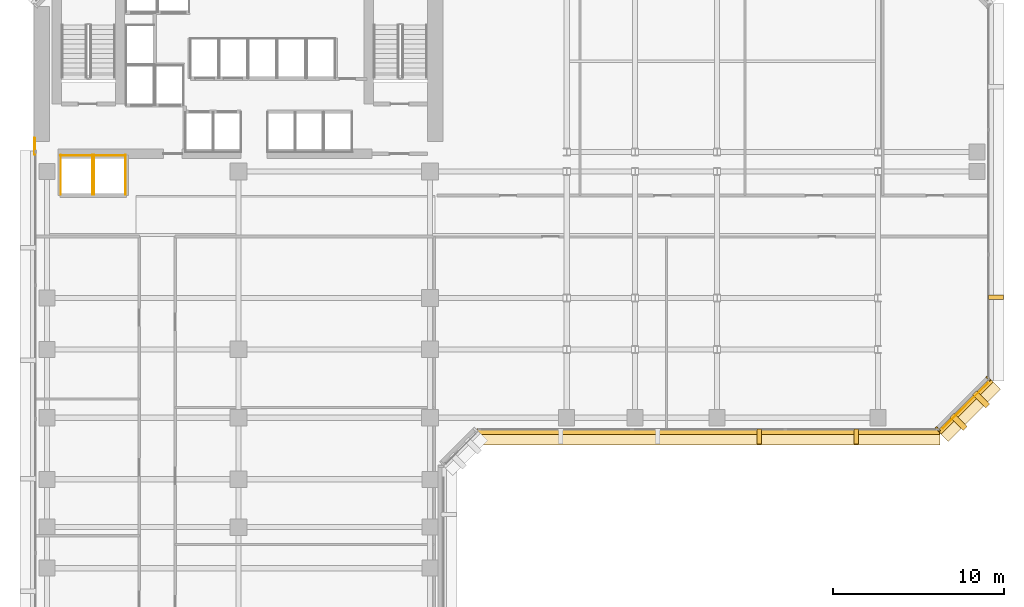
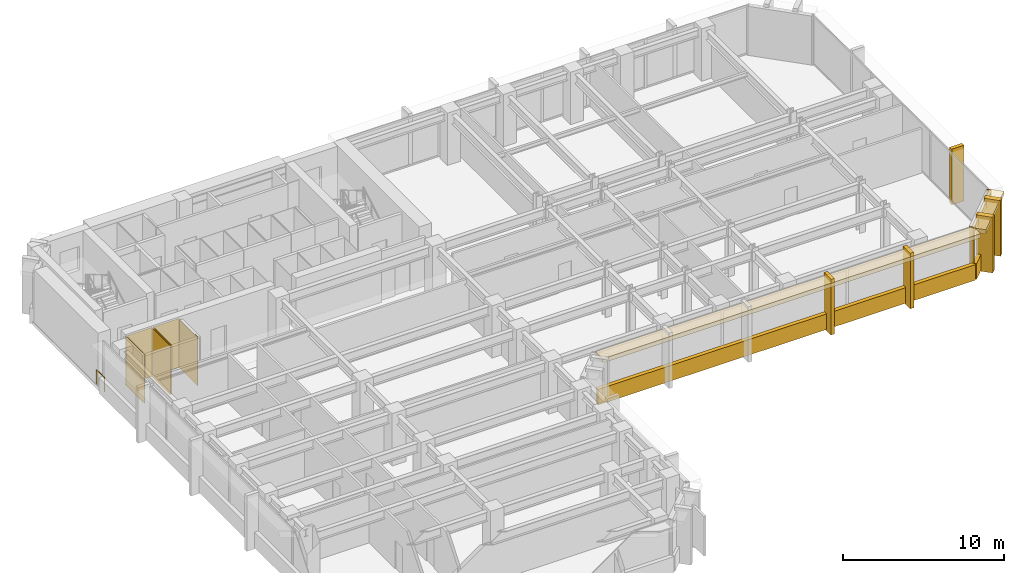
# One storey, part 10 of 13: 18 coverings, 1 railing.
"""IFC4 building model written with IfcOpenShell, lengths in metres."""

from ifc_helpers import new_model, si_unit, direction, frame, origin, origin_2d, place, context, subcontext, project, spatial, polyline, rectangle, circle, outline, extrude, material, layer, layer_set, type_object, element, save


model = new_model("IFC4")

# Units and contexts
model_context = context("Model", 3, precision=1e-05, world=origin(), true_north=direction((0.0, 1.0)))
body_context = subcontext(model_context, "Body", "Model", "MODEL_VIEW")
ifc_project = project(units=[si_unit("LENGTHUNIT", "METRE"), si_unit("AREAUNIT", "SQUARE_METRE"), si_unit("VOLUMEUNIT", "CUBIC_METRE"), si_unit("PLANEANGLEUNIT", "RADIAN"), si_unit("MASSUNIT", "GRAM", prefix="KILO")], contexts=[model_context])

# Site, building, storey
site_placement = place(None, origin())
site = spatial("IfcSite", under=ifc_project, at=site_placement, CompositionType="ELEMENT")
building_placement = place(site_placement, origin())
building = spatial("IfcBuilding", under=site, at=building_placement, Name="Kefirva Bronze Tower", CompositionType="ELEMENT")
storey_placement = place(building_placement, frame((0.0, 0.0, 98.669921875)))
storey = spatial("IfcBuildingStorey", under=building, at=storey_placement, Name="L23", CompositionType="ELEMENT", Elevation=98.669921875)

# Coverings
ifc_material_1 = material(Name="Bronze anodised aluminium", Category="aluminium")
ifc_layer_1 = layer(ifc_material_1, 0.02001953125, Name="Bronze anodised aluminium")
ifc_layer_set_1 = layer_set([ifc_layer_1], Name="Bronze anodised aluminium")
covering_type_1 = type_object("IfcCoveringType", Name="Anodised Bronze Spandrel Cladding 20mm", PredefinedType="CLADDING", material=ifc_layer_set_1)
covering_1_placement = place(storey_placement, frame((39.5, 17.9599609375, -0.15966796875), z_axis=(0.0, 0.0, 1.0), x_axis=(1.0, 0.0, 0.0)))
element("IfcCovering", 1, at=covering_1_placement, inside=storey, type_object=covering_type_1, Name="L23 Streamline Horizontal Spandrel Band 4", PredefinedType="CLADDING", context=body_context, shape_type="SweptSolid", body=[
    extrude(rectangle(XDim=27.0400390625, YDim=0.280029296875, at=origin_2d()), origin(), (0.0, 0.0, 1.0), 1.179931640625),
])
covering_2_placement = place(storey_placement, frame((54.507080078125, 19.492919921875, 3.2900390625), z_axis=(0.0, 0.0, 1.0), x_axis=(0.707106781187, 0.707106781187, 0.0)))
element("IfcCovering", 2, at=covering_2_placement, inside=storey, type_object=covering_type_1, Name="L23 Bronze Spandrel Cladding 4", PredefinedType="CLADDING", context=body_context, shape_type="SweptSolid", body=[
    extrude(rectangle(XDim=3.719482421875, YDim=0.02001953125, at=origin_2d()), origin(), (0.0, 0.0, 1.0), 0.39990234375),
])
for number, where, z_axis, x_axis, name in (
    (3, (52.91162109375, 18.137939453125, 0.0), (0.0, 0.0, 1.0), (0.707106781187, 0.707106781187, 0.0), "L23 Facade Joint Closure Panel 4S"),
    (4, (55.862060546875, 21.08837890625, 0.0), (0.0, 0.0, 1.0), (0.707106781187, 0.707106781187, 0.0), "L23 Facade Joint Closure Panel 4E"),
):
    element("IfcCovering", number, at=place(storey_placement, frame(where, z_axis=z_axis, x_axis=x_axis)), inside=storey, type_object=covering_type_1, Name=name, PredefinedType="CLADDING", context=body_context, shape_type="SweptSolid", body=[
        extrude(rectangle(XDim=0.10009765625, YDim=0.320068359375, at=origin_2d()), origin(), (0.0, 0.0, 1.0), 3.7099609375),
    ])
covering_3_placement = place(storey_placement, frame((54.5283203125, 19.4716796875, -0.15966796875), z_axis=(0.0, 0.0, 1.0), x_axis=(0.707106781187, 0.707106781187, 0.0)))
element("IfcCovering", 5, at=covering_3_placement, inside=storey, type_object=covering_type_1, Name="L23 Streamline Horizontal Spandrel Band 5", PredefinedType="CLADDING", context=body_context, shape_type="SweptSolid", body=[
    extrude(rectangle(XDim=4.28271484375, YDim=0.280029296875, at=origin_2d()), origin(), (0.0, 0.0, 1.0), 1.179931640625),
])
covering_4_placement = place(storey_placement, origin())
element("IfcCovering", 6, at=covering_4_placement, inside=storey, type_object=covering_type_1, Name="L23 Lift OB1 Hoistway Liner N", PredefinedType="CLADDING", context=body_context, shape_type="SweptSolid", body=[
    extrude(outline(polyline([(1.580078125, 34.139892578125), (3.469970703125, 34.139892578125), (3.469970703125, 34.159912109375), (1.580078125, 34.159912109375), (1.580078125, 34.139892578125)])), origin(), (0.0, 0.0, 1.0), 3.7099609375),
])
covering_5_placement = place(storey_placement, origin())
element("IfcCovering", 7, at=covering_5_placement, inside=storey, type_object=covering_type_1, Name="L23 Lift OB1 Hoistway Liner W", PredefinedType="CLADDING", context=body_context, shape_type="SweptSolid", body=[
    extrude(outline(polyline([(1.590087890625, 31.830078125), (1.610107421875, 31.830078125), (1.610107421875, 34.169921875), (1.590087890625, 34.169921875), (1.590087890625, 31.830078125)])), origin(), (0.0, 0.0, 1.0), 3.7099609375),
])
covering_6_placement = place(storey_placement, origin())
element("IfcCovering", 8, at=covering_6_placement, inside=storey, type_object=covering_type_1, Name="L23 Lift OB1 Hoistway Liner E", PredefinedType="CLADDING", context=body_context, shape_type="SweptSolid", body=[
    extrude(outline(polyline([(3.43994140625, 31.830078125), (3.4599609375, 31.830078125), (3.4599609375, 34.169921875), (3.43994140625, 34.169921875), (3.43994140625, 31.830078125)])), origin(), (0.0, 0.0, 1.0), 3.7099609375),
])
covering_7_placement = place(storey_placement, origin())
element("IfcCovering", 9, at=covering_7_placement, inside=storey, type_object=covering_type_1, Name="L23 Lift OB2 Hoistway Liner N", PredefinedType="CLADDING", context=body_context, shape_type="SweptSolid", body=[
    extrude(outline(polyline([(3.530029296875, 34.139892578125), (5.419921875, 34.139892578125), (5.419921875, 34.159912109375), (3.530029296875, 34.159912109375), (3.530029296875, 34.139892578125)])), origin(), (0.0, 0.0, 1.0), 3.7099609375),
])
covering_8_placement = place(storey_placement, origin())
element("IfcCovering", 10, at=covering_8_placement, inside=storey, type_object=covering_type_1, Name="L23 Lift OB2 Hoistway Liner W", PredefinedType="CLADDING", context=body_context, shape_type="SweptSolid", body=[
    extrude(outline(polyline([(3.5400390625, 31.830078125), (3.56005859375, 31.830078125), (3.56005859375, 34.169921875), (3.5400390625, 34.169921875), (3.5400390625, 31.830078125)])), origin(), (0.0, 0.0, 1.0), 3.7099609375),
])
covering_9_placement = place(storey_placement, origin())
element("IfcCovering", 11, at=covering_9_placement, inside=storey, type_object=covering_type_1, Name="L23 Lift OB2 Hoistway Liner E", PredefinedType="CLADDING", context=body_context, shape_type="SweptSolid", body=[
    extrude(outline(polyline([(5.389892578125, 31.830078125), (5.409912109375, 31.830078125), (5.409912109375, 34.169921875), (5.389892578125, 34.169921875), (5.389892578125, 31.830078125)])), origin(), (0.0, 0.0, 1.0), 3.7099609375),
])

# Railing
ifc_material_2 = material(Name="Stainless steel 316", Category="steel")
railing_type = type_object("IfcRailingType", Name="Interior Stair Guardrail 1100mm", PredefinedType="GUARDRAIL", material=ifc_material_2)
railing_placement = place(storey_placement, frame((0.080078125, 34.199951171875, 0.0)))
element("IfcRailing", 12, at=railing_placement, inside=storey, type_object=railing_type, Name="L23 West Core Junction Guardrail", PredefinedType="GUARDRAIL", context=body_context, shape_type="SweptSolid", body=[
    extrude(circle(Radius=0.02392578125, at=origin_2d()), frame((0.0, 0.0, 1.076171875), z_axis=(0.0, 1.0, 0.0), x_axis=(-1.0, 0.0, 0.0)), (0.0, 0.0, 1.0), 0.949951171875),
    extrude(circle(Radius=0.02099609375, at=origin_2d()), origin(), (0.0, 0.0, 1.0), 1.052001953125),
    extrude(circle(Radius=0.02099609375, at=origin_2d()), frame((0.0, 0.949951171875, 0.0)), (0.0, 0.0, 1.0), 1.052001953125),
])

# Coverings
ifc_layer_2 = layer(ifc_material_1, 0.179931640625, Name="Bronze anodised aluminium")
ifc_layer_set_2 = layer_set([ifc_layer_2], Name="Bronze anodised aluminium")
covering_type_2 = type_object("IfcCoveringType", Name="Streamline Bronze Sunshade Eyebrow Cladding 180mm", PredefinedType="CLADDING", material=ifc_layer_set_2)
covering_10_placement = place(storey_placement, frame((39.5, 17.68994140625, 3.39013671875), z_axis=(0.0, 0.0, 1.0), x_axis=(1.0, 0.0, 0.0)))
element("IfcCovering", 13, at=covering_10_placement, inside=storey, type_object=covering_type_2, Name="L23 Streamline Bronze Sunshade Eyebrow 4", PredefinedType="CLADDING", context=body_context, shape_type="SweptSolid", body=[
    extrude(rectangle(XDim=27.080078125, YDim=0.93994140625, at=origin_2d()), origin(), (0.0, 0.0, 1.0), 0.320068359375),
])
covering_11_placement = place(storey_placement, frame((54.71923828125, 19.28076171875, 3.39013671875), z_axis=(0.0, 0.0, 1.0), x_axis=(0.707106781187, 0.707106781187, 0.0)))
element("IfcCovering", 14, at=covering_11_placement, inside=storey, type_object=covering_type_2, Name="L23 Streamline Bronze Sunshade Eyebrow 5", PredefinedType="CLADDING", context=body_context, shape_type="SweptSolid", body=[
    extrude(rectangle(XDim=4.322509765625, YDim=0.93994140625, at=origin_2d()), origin(), (0.0, 0.0, 1.0), 0.320068359375),
])
ifc_layer_3 = layer(ifc_material_1, 0.260009765625, Name="Bronze anodised aluminium")
ifc_layer_set_3 = layer_set([ifc_layer_3], Name="Bronze anodised aluminium")
covering_type_3 = type_object("IfcCoveringType", Name="Unbroken Bronze Buttress Fin Cladding 260mm", PredefinedType="CLADDING", material=ifc_layer_set_3)
for number, where, z_axis, x_axis, name in (
    (15, (42.469970703125, 17.699951171875, -0.25), (0.0, 0.0, 1.0), (1.0, 0.0, 0.0), "L23 Unbroken Vertical Bronze Rib Fin 11"),
    (16, (48.139892578125, 17.699951171875, -0.25), (0.0, 0.0, 1.0), (1.0, 0.0, 0.0), "L23 Unbroken Vertical Bronze Rib Fin 12"),
):
    element("IfcCovering", number, at=place(storey_placement, frame(where, z_axis=z_axis, x_axis=x_axis)), inside=storey, type_object=covering_type_3, Name=name, PredefinedType="CLADDING", context=body_context, shape_type="SweptSolid", body=[
        extrude(rectangle(XDim=0.260009765625, YDim=0.8798828125, at=origin_2d()), origin(), (0.0, 0.0, 1.0), 4.2099609375),
    ])
for number, where, z_axis, x_axis, name in (
    (17, (54.122802734375, 18.55712890625, -0.25), (0.0, 0.0, 1.0), (0.707106781187, 0.707106781187, 0.0), "L23 Chamfered Corner Buttress Fin Cladding 13"),
    (18, (55.44287109375, 19.877197265625, -0.25), (0.0, 0.0, 1.0), (0.707106781187, 0.707106781187, 0.0), "L23 Chamfered Corner Buttress Fin Cladding 14"),
):
    element("IfcCovering", number, at=place(storey_placement, frame(where, z_axis=z_axis, x_axis=x_axis)), inside=storey, type_object=covering_type_3, Name=name, PredefinedType="CLADDING", context=body_context, shape_type="SweptSolid", body=[
        extrude(rectangle(XDim=0.340087890625, YDim=1.080078125, at=origin_2d()), origin(), (0.0, 0.0, 1.0), 4.2099609375),
    ])
covering_12_placement = place(storey_placement, frame((56.300048828125, 25.840087890625, -0.25), z_axis=(0.0, 0.0, 1.0), x_axis=(0.0, 1.0, 0.0)))
element("IfcCovering", 19, at=covering_12_placement, inside=storey, type_object=covering_type_3, Name="L23 Unbroken Vertical Bronze Rib Fin 15", PredefinedType="CLADDING", context=body_context, shape_type="SweptSolid", body=[
    extrude(rectangle(XDim=0.260009765625, YDim=0.8798828125, at=origin_2d()), origin(), (0.0, 0.0, 1.0), 4.2099609375),
])

save(model, "model.ifc")
